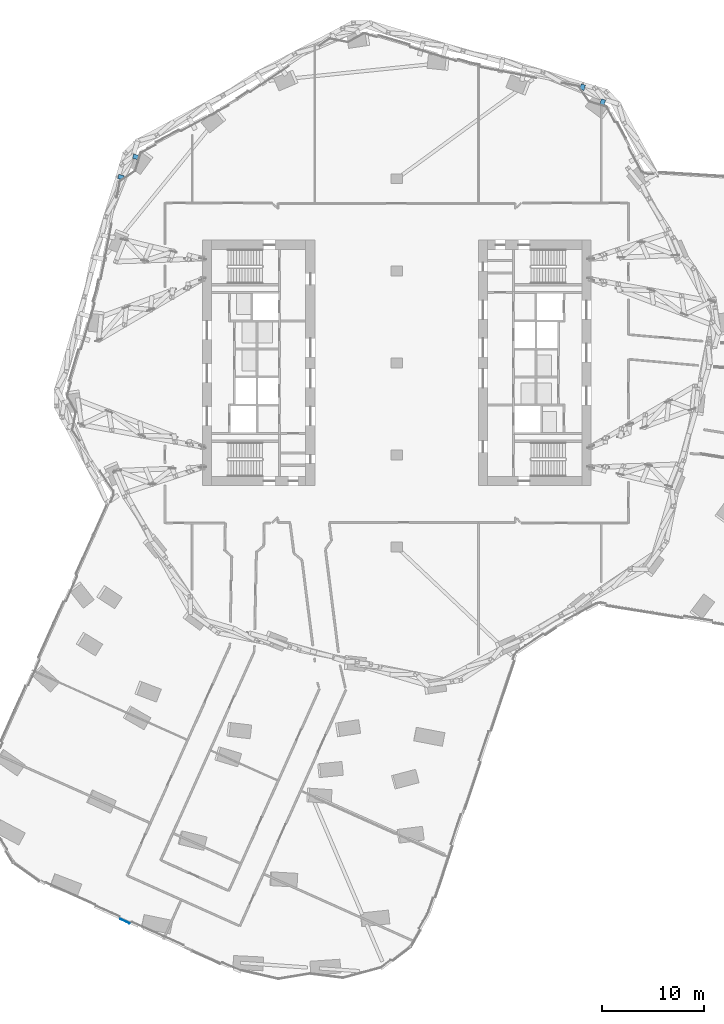
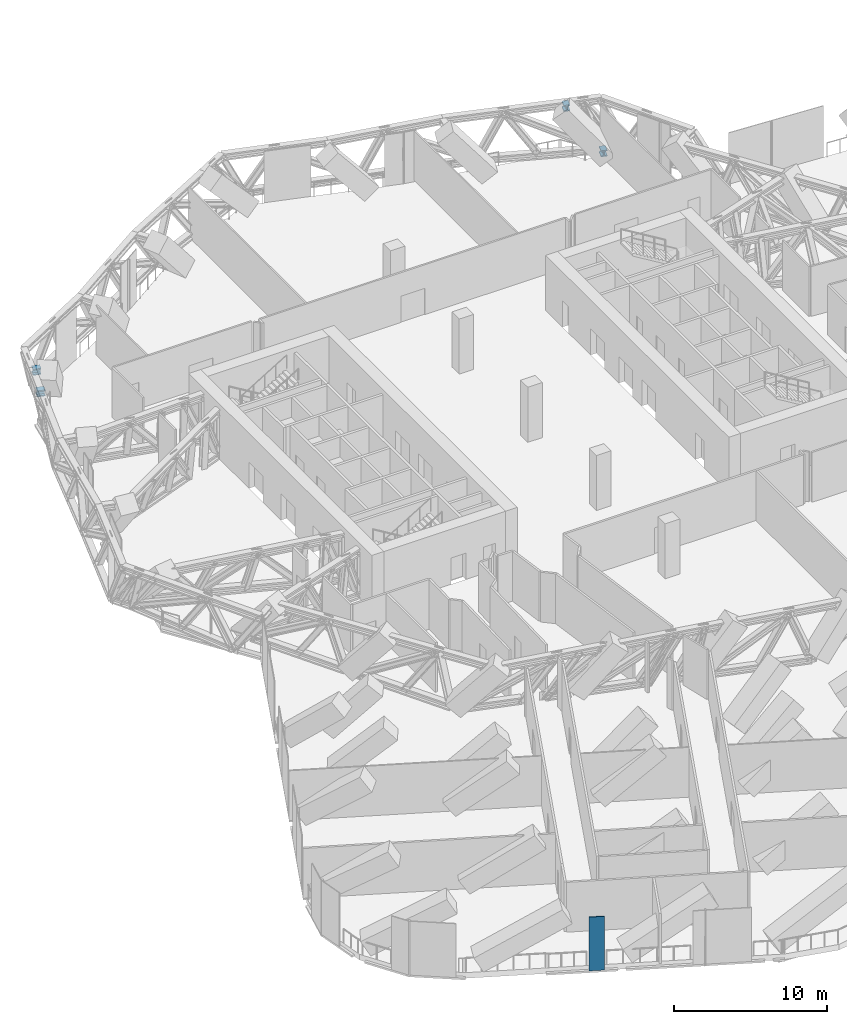
# One storey, part 20 of 39: 4 members, 1 plate, 1 element without a shape of its own.
"""IFC4 building model written with IfcOpenShell, lengths in metres."""

from ifc_helpers import new_model, si_unit, direction, frame, origin, origin_2d, place, context, subcontext, project, spatial, rectangle, i_section, extrude, material, layer, layer_set, material_profile, profile_set, type_object, element, aggregate, save


model = new_model("IFC4")

# Units and contexts
model_context = context("Model", 3, precision=1e-05, world=origin(), true_north=direction((0.0, 1.0)))
body_context = subcontext(model_context, "Body", "Model", "MODEL_VIEW")
ifc_project = project(units=[si_unit("LENGTHUNIT", "METRE"), si_unit("AREAUNIT", "SQUARE_METRE"), si_unit("VOLUMEUNIT", "CUBIC_METRE"), si_unit("PLANEANGLEUNIT", "RADIAN"), si_unit("MASSUNIT", "GRAM", prefix="KILO")], contexts=[model_context])

# Site, building, storey
site_placement = place(None, origin())
site = spatial("IfcSite", under=ifc_project, at=site_placement, CompositionType="ELEMENT")
building_placement = place(site_placement, origin())
building = spatial("IfcBuilding", under=site, at=building_placement, Name="Orlundy Tower", CompositionType="ELEMENT")
storey_placement = place(building_placement, frame((0.0, 0.0, 141.199951171875)))
storey = spatial("IfcBuildingStorey", under=building, at=storey_placement, Name="L36", CompositionType="ELEMENT", Elevation=141.199951171875)

# Members
ifc_material_1 = material(Name="Steel ASTM A992 Gr 50", Category="steel")
ifc_material_profile = material_profile(ifc_material_1, i_section(OverallWidth=0.43212890625, OverallDepth=0.497802734375, WebThickness=0.0556640625, FlangeThickness=0.0888671875, at=origin_2d()), Name="W14X500")
ifc_profile_set = profile_set([ifc_material_profile], Name="Steel ASTM A992 Gr 50")
member_type = type_object("IfcMemberType", Name="BELT TRUSS strut W14X500", PredefinedType="STRUT", material=ifc_profile_set)
member_1_placement = place(storey_placement, frame((20.069580078125, 25.245361328125, 0.28466796875), z_axis=(0.286733204944, 0.958010474464, 0.0), x_axis=(-0.958010474464, 0.286733204944, 0.0)))
element("IfcMember", 1, at=member_1_placement, inside=storey, type_object=member_type, Name="Belt truss bracket C-H01", PredefinedType="STRUT", context=body_context, shape_type="SweptSolid", body=[
    extrude(i_section(OverallWidth=0.43212890625, OverallDepth=0.497802734375, WebThickness=0.0556640625, FlangeThickness=0.0888671875, at=origin_2d()), origin(), (0.0, 0.0, 1.0), 0.546630859375),
])
member_2_placement = place(storey_placement, frame((18.093994140625, 26.698486328125, 3.71533203125), z_axis=(0.286610570141, 0.958047170594, 0.0), x_axis=(-0.958047170594, 0.286610570141, 0.0)))
element("IfcMember", 2, at=member_2_placement, inside=storey, type_object=member_type, Name="Belt truss bracket C-H01", PredefinedType="STRUT", context=body_context, shape_type="SweptSolid", body=[
    extrude(i_section(OverallWidth=0.43212890625, OverallDepth=0.497802734375, WebThickness=0.0556640625, FlangeThickness=0.0888671875, at=origin_2d()), origin(), (0.0, 0.0, 1.0), 0.546875),
])
member_3_placement = place(storey_placement, frame((-25.245361328125, 20.069580078125, 0.28466796875), z_axis=(-0.958010474464, 0.286733204944, 0.0), x_axis=(-0.286733204944, -0.958010474464, 0.0)))
element("IfcMember", 3, at=member_3_placement, inside=storey, type_object=member_type, Name="Belt truss bracket C-H19", PredefinedType="STRUT", context=body_context, shape_type="SweptSolid", body=[
    extrude(i_section(OverallWidth=0.43212890625, OverallDepth=0.497802734375, WebThickness=0.0556640625, FlangeThickness=0.0888671875, at=origin_2d()), origin(), (0.0, 0.0, 1.0), 0.546630859375),
])
member_4_placement = place(storey_placement, frame((-26.698486328125, 18.093994140625, 3.71533203125), z_axis=(-0.958047170594, 0.286610570141, 0.0), x_axis=(-0.286610570141, -0.958047170594, 0.0)))
element("IfcMember", 4, at=member_4_placement, inside=storey, type_object=member_type, Name="Belt truss bracket C-H19", PredefinedType="STRUT", context=body_context, shape_type="SweptSolid", body=[
    extrude(i_section(OverallWidth=0.43212890625, OverallDepth=0.497802734375, WebThickness=0.0556640625, FlangeThickness=0.0888671875, at=origin_2d()), origin(), (0.0, 0.0, 1.0), 0.546875),
])

# Curtain wall, plate
ifc_material_2 = material(Name="Aluminium bronze anodised", Category="aluminium")
curtain_wall_type = type_object("IfcCurtainWallType", Name="CW4 wall", PredefinedType="NOTDEFINED", material=ifc_material_2)
curtain_wall_placement = place(storey_placement, origin())
curtain_wall = element("IfcCurtainWall", 5, at=curtain_wall_placement, inside=storey, type_object=curtain_wall_type, Name="CW4 run 07", PredefinedType="NOTDEFINED")
ifc_material_3 = material(Name="Louvre aluminium bronze anodised", Category="aluminium")
ifc_layer = layer(ifc_material_3, 0.06005859375)
ifc_layer_set = layer_set([ifc_layer], Name="CW4 louvre panel 60")
plate_type = type_object("IfcPlateType", Name="CW4 louvre panel 60", PredefinedType="CURTAIN_PANEL", material=ifc_layer_set)
plate_placement = place(storey_placement, frame((-26.573486328125, -54.57373046875, -0.2998046875), z_axis=(0.0, 0.0, 1.0), x_axis=(-0.912366461182, 0.409374450241, 0.0)))
plate = element("IfcPlate", 6, at=plate_placement, type_object=plate_type, Name="CW4 louvre", PredefinedType="CURTAIN_PANEL", context=body_context, shape_type="SweptSolid", body=[
    extrude(rectangle(XDim=1.007568359375, YDim=0.06005859375, at=origin_2d()), origin(), (0.0, 0.0, 1.0), 4.300048828125),
])
aggregate(curtain_wall, [plate])

save(model, "model.ifc")
